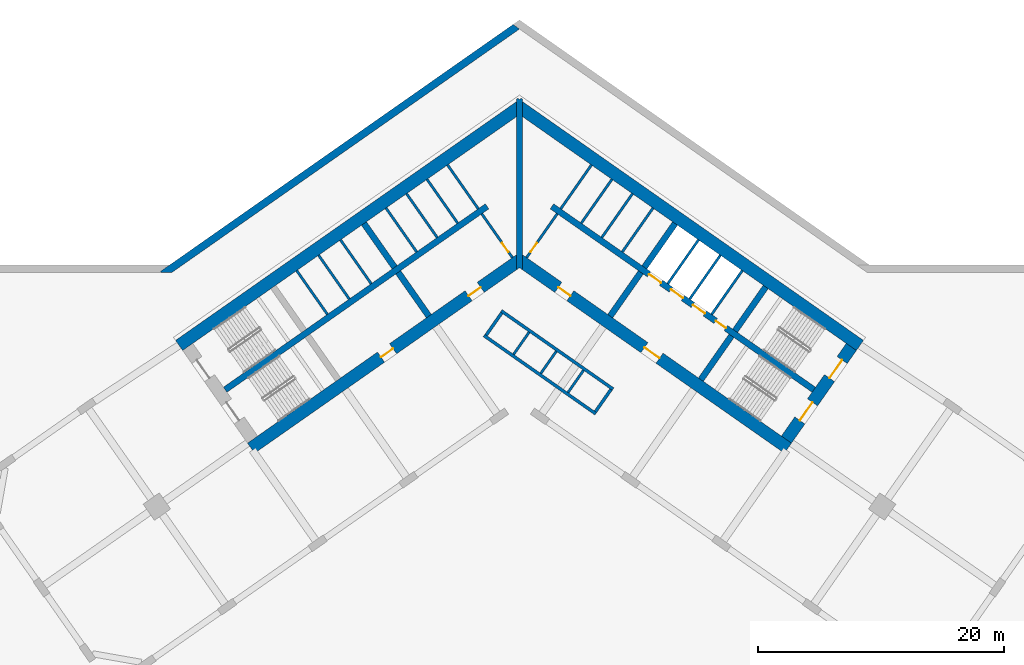
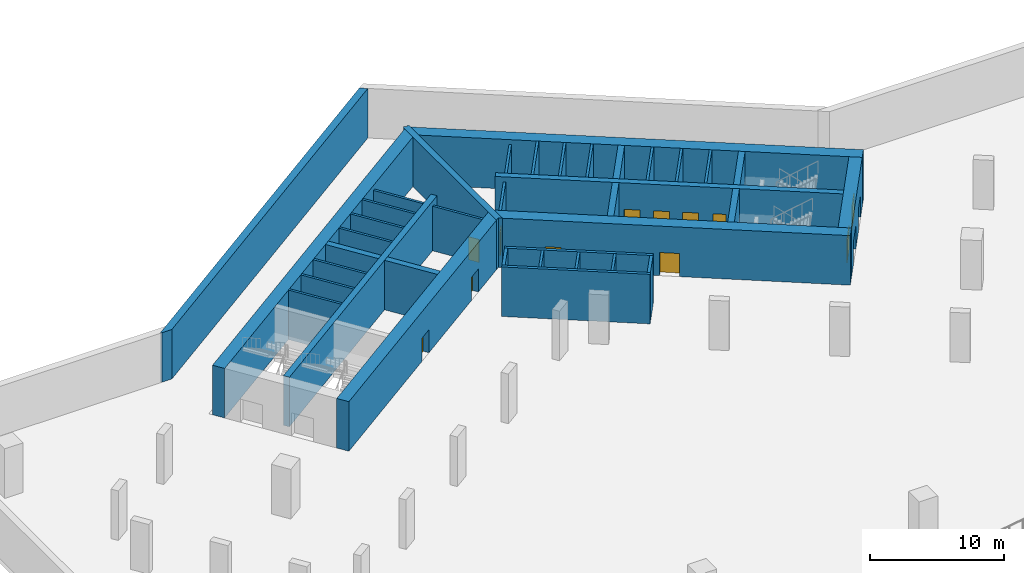
# One storey, part 7 of 11: 38 walls, 12 doors, 12 openings.
"""IFC4 building model written with IfcOpenShell, lengths in metres."""

from ifc_helpers import new_model, si_unit, direction, frame, frame_2d, origin, place, context, subcontext, project, spatial, polyline, rectangle, outline, extrude, material, layer, layer_set, type_object, element, fill, save


model = new_model("IFC4")

# Units and contexts
model_context = context("Model", 3, precision=1e-05, world=origin(), true_north=direction((0.0, 1.0)))
body_context = subcontext(model_context, "Body", "Model", "MODEL_VIEW")
ifc_project = project(units=[si_unit("LENGTHUNIT", "METRE"), si_unit("AREAUNIT", "SQUARE_METRE"), si_unit("VOLUMEUNIT", "CUBIC_METRE"), si_unit("PLANEANGLEUNIT", "RADIAN"), si_unit("MASSUNIT", "GRAM", prefix="KILO")], contexts=[model_context])

# Site, building, storey
site_placement = place(None, origin())
site = spatial("IfcSite", under=ifc_project, at=site_placement, CompositionType="ELEMENT")
building_placement = place(site_placement, origin())
building = spatial("IfcBuilding", under=site, at=building_placement, Name="Tel Ilan Convention Tower", CompositionType="ELEMENT")
storey_placement = place(building_placement, frame((0.0, 0.0, -4.5)))
storey = spatial("IfcBuildingStorey", under=building, at=storey_placement, Name="B1", CompositionType="ELEMENT", Elevation=-4.5)

# Wall
ifc_material_1 = material(Name="Concrete C40/50", Category="concrete")
ifc_layer_1 = layer(ifc_material_1, 0.60009765625)
ifc_layer_set_1 = layer_set([ifc_layer_1], Name="Basement Retaining Wall 600 mm C40/50")
wall_type_1 = type_object("IfcWallType", Name="Basement Retaining Wall 600 mm C40/50", PredefinedType="SOLIDWALL", material=ifc_layer_set_1)
wall_1_placement = place(storey_placement, frame((0.172119140625, 18.67626953125, 0.0), z_axis=(0.0, 0.0, 1.0), x_axis=(-0.819154640404, -0.573572728697, 0.0)))
element("IfcWall", 1, at=wall_1_placement, inside=storey, type_object=wall_type_1, Name="B1 retaining wall 5", PredefinedType="SOLIDWALL", context=body_context, shape_type="SweptSolid", body=[
    extrude(outline(polyline([(34.922119140625, 0.300048828125), (35.633056640625, -0.197509765625), (35.633056640625, -0.2998046875), (28.946044921875, -0.300048828125), (0.638427734375, -0.300048828125), (0.420166015625, 0.300048828125), (34.922119140625, 0.300048828125)])), origin(), (0.0, 0.0, 1.0), 4.5),
])

# Wall, opening, door
ifc_material_2 = material(Name="Concrete C30/37", Category="concrete")
ifc_layer_2 = layer(ifc_material_2, 0.199951171875)
ifc_layer_set_2 = layer_set([ifc_layer_2], Name="Core Service Room Wall 200 mm C30/37")
wall_type_2 = type_object("IfcWallType", Name="Core Service Room Wall 200 mm C30/37", PredefinedType="SOLIDWALL", material=ifc_layer_set_2)
wall_2_placement = place(storey_placement, frame((-0.573486328125, -0.401611328125, 0.0), z_axis=(0.0, 0.0, 1.0), x_axis=(-0.57356780395, 0.819158088694, 0.0)))
wall_2 = element("IfcWall", 2, at=wall_2_placement, inside=storey, type_object=wall_type_2, Name="B1 core wall apex-W", PredefinedType="SOLIDWALL", context=body_context, shape_type="SweptSolid", body=[
    extrude(rectangle(XDim=4.35009765625, YDim=0.199951171875, at=frame_2d((2.175048828125, 0.0))), origin(), (0.0, 0.0, 1.0), 4.050048828125),
])
opening_1_placement = place(wall_2_placement, frame((0.550048828125, 0.0, 0.0)))
opening_1 = element("IfcOpeningElement", 3, at=opening_1_placement, cuts=wall_2, Name="Opening CD0202", PredefinedType="OPENING", context=body_context, shape_type="SweptSolid", body=[
    extrude(rectangle(XDim=0.89990234375, YDim=2.10009765625, at=frame_2d((0.449951171875, 1.050048828125))), frame((0.0, 0.10986328125, 0.0), z_axis=(0.0, -1.0, 0.0), x_axis=(1.0, 0.0, 0.0)), (0.0, 0.0, 1.0), 0.219970703125),
])
ifc_material_3 = material(Name="Galvanised Steel Door Leaf", Category="steel")
door_type_1 = type_object("IfcDoorType", Name="Service Room Door 900 x 2100 FD60", OperationType="NOTDEFINED", PredefinedType="DOOR", material=ifc_material_3)
door_1_placement = place(opening_1_placement, origin())
door_1 = element("IfcDoor", 4, at=door_1_placement, inside=storey, type_object=door_type_1, Name="Pump Room door", OperationType="SINGLE_SWING_RIGHT", OverallHeight=2.10009765625, OverallWidth=0.89990234375, PredefinedType="DOOR", context=body_context, shape_type="SweptSolid", body=[
    extrude(rectangle(XDim=0.89990234375, YDim=2.10009765625, at=frame_2d((0.449951171875, 1.050048828125))), frame((0.0, 0.02490234375, 0.0), z_axis=(0.0, -1.0, 0.0), x_axis=(1.0, 0.0, 0.0)), (0.0, 0.0, 1.0), 0.050048828125),
])
fill(opening_1, door_1)

# Wall
wall_3_placement = place(storey_placement, frame((-3.355224609375, 3.5712890625, 0.0), z_axis=(0.0, 0.0, 1.0), x_axis=(-0.57356780395, 0.819158088694, 0.0)))
element("IfcWall", 5, at=wall_3_placement, inside=storey, type_object=wall_type_2, Name="B1 core wall apex-W-b", PredefinedType="SOLIDWALL", context=body_context, shape_type="SweptSolid", body=[
    extrude(rectangle(XDim=4.35009765625, YDim=0.199951171875, at=frame_2d((2.175048828125, 0.0))), origin(), (0.0, 0.0, 1.0), 4.050048828125),
])

# Wall, opening, door
wall_4_placement = place(storey_placement, frame((0.573486328125, -0.401611328125, 0.0), z_axis=(0.0, 0.0, 1.0), x_axis=(0.57356780395, 0.819158088694, 0.0)))
wall_4 = element("IfcWall", 6, at=wall_4_placement, inside=storey, type_object=wall_type_2, Name="B1 core wall apex-E", PredefinedType="SOLIDWALL", context=body_context, shape_type="SweptSolid", body=[
    extrude(rectangle(XDim=4.35009765625, YDim=0.199951171875, at=frame_2d((2.175048828125, 0.0))), origin(), (0.0, 0.0, 1.0), 4.050048828125),
])
opening_2_placement = place(wall_4_placement, frame((0.550048828125, 0.0, 0.0)))
opening_2 = element("IfcOpeningElement", 7, at=opening_2_placement, cuts=wall_4, Name="Opening CD0201", PredefinedType="OPENING", context=body_context, shape_type="SweptSolid", body=[
    extrude(rectangle(XDim=0.89990234375, YDim=2.10009765625, at=frame_2d((0.449951171875, 1.050048828125))), frame((0.0, 0.10986328125, 0.0), z_axis=(0.0, -1.0, 0.0), x_axis=(1.0, 0.0, 0.0)), (0.0, 0.0, 1.0), 0.219970703125),
])
door_2_placement = place(opening_2_placement, origin())
door_2 = element("IfcDoor", 8, at=door_2_placement, inside=storey, type_object=door_type_1, Name="Sump and Sprinkler Control Room door", OperationType="SINGLE_SWING_RIGHT", OverallHeight=2.10009765625, OverallWidth=0.89990234375, PredefinedType="DOOR", context=body_context, shape_type="SweptSolid", body=[
    extrude(rectangle(XDim=0.89990234375, YDim=2.10009765625, at=frame_2d((0.449951171875, 1.050048828125))), frame((0.0, 0.02490234375, 0.0), z_axis=(0.0, -1.0, 0.0), x_axis=(1.0, 0.0, 0.0)), (0.0, 0.0, 1.0), 0.050048828125),
])
fill(opening_2, door_2)

# Walls
wall_5_placement = place(storey_placement, frame((3.355224609375, 3.5712890625, 0.0), z_axis=(0.0, 0.0, 1.0), x_axis=(0.57356780395, 0.819158088694, 0.0)))
element("IfcWall", 9, at=wall_5_placement, inside=storey, type_object=wall_type_2, Name="B1 core wall apex-E-b", PredefinedType="SOLIDWALL", context=body_context, shape_type="SweptSolid", body=[
    extrude(rectangle(XDim=4.35009765625, YDim=0.199951171875, at=frame_2d((2.175048828125, 0.0))), origin(), (0.0, 0.0, 1.0), 4.050048828125),
])
ifc_material_4 = material(Name="Concrete C60/75", Category="concrete")
ifc_layer_3 = layer(ifc_material_4, 1.0)
ifc_layer_set_3 = layer_set([ifc_layer_3], Name="Core Shear Wall 1000 mm C60/75")
wall_type_3 = type_object("IfcWallType", Name="Core Shear Wall 1000 mm C60/75", PredefinedType="SHEAR", material=ifc_layer_set_3)
wall_6_placement = place(storey_placement, frame((0.036865234375, 11.8671875, 0.0), z_axis=(0.0, 0.0, 1.0), x_axis=(-0.819155306259, -0.573571777746, 0.0)))
element("IfcWall", 10, at=wall_6_placement, inside=storey, type_object=wall_type_3, Name="B1 core wall W-back", PredefinedType="SHEAR", context=body_context, shape_type="SweptSolid", body=[
    extrude(outline(polyline([(33.8369140625, 0.5), (0.7001953125, 0.499755859375), (0.0, -0.5), (33.8369140625, -0.5), (33.8369140625, 0.5)])), origin(), (0.0, 0.0, 1.0), 4.5),
])

# Wall, openings, doors
wall_7_placement = place(storey_placement, frame((0.036865234375, -0.584716796875, 0.0), z_axis=(0.0, 0.0, 1.0), x_axis=(-0.819157152511, -0.573569140985, 0.0)))
wall_7 = element("IfcWall", 11, at=wall_7_placement, inside=storey, type_object=wall_type_3, Name="B1 core wall W-front", PredefinedType="SHEAR", context=body_context, shape_type="SweptSolid", body=[
    extrude(outline(polyline([(26.69482421875, 0.500244140625), (0.7001953125, 0.499755859375), (0.0, -0.5), (26.69482421875, -0.499755859375), (26.69482421875, 0.500244140625)])), origin(), (0.0, 0.0, 1.0), 4.5),
])
opening_3_placement = place(wall_7_placement, frame((3.894775390625, 0.0, 0.0)))
opening_3 = element("IfcOpeningElement", 12, at=opening_3_placement, cuts=wall_7, Name="Opening CD0205", PredefinedType="OPENING", context=body_context, shape_type="SweptSolid", body=[
    extrude(rectangle(XDim=1.199951171875, YDim=2.10009765625, at=frame_2d((0.60009765625, 1.050048828125))), frame((0.0, 0.510009765625, 0.0), z_axis=(0.0, -1.0, 0.0), x_axis=(1.0, 0.0, 0.0)), (0.0, 0.0, 1.0), 1.02001953125),
])
opening_4_placement = place(wall_7_placement, frame((12.5947265625, 0.0, 0.0)))
opening_4 = element("IfcOpeningElement", 13, at=opening_4_placement, cuts=wall_7, Name="Opening CD0206", PredefinedType="OPENING", context=body_context, shape_type="SweptSolid", body=[
    extrude(rectangle(XDim=1.199951171875, YDim=2.10009765625, at=frame_2d((0.60009765625, 1.050048828125))), frame((0.0, 0.510009765625, 0.0), z_axis=(0.0, -1.0, 0.0), x_axis=(1.0, 0.0, 0.0)), (0.0, 0.0, 1.0), 1.02001953125),
])
ifc_material_5 = material(Name="Galvanised Steel Door Leaf", Category="steel")
door_type_2 = type_object("IfcDoorType", Name="Service Room Door 1200 x 2100 FD60", OperationType="NOTDEFINED", PredefinedType="DOOR", material=ifc_material_5)
door_3_placement = place(opening_3_placement, origin())
door_3 = element("IfcDoor", 14, at=door_3_placement, inside=storey, type_object=door_type_2, Name="Plant Room W1 door", OperationType="SINGLE_SWING_RIGHT", OverallHeight=2.10009765625, OverallWidth=1.199951171875, PredefinedType="DOOR", context=body_context, shape_type="SweptSolid", body=[
    extrude(rectangle(XDim=1.199951171875, YDim=2.10009765625, at=frame_2d((0.60009765625, 1.050048828125))), frame((0.0, 0.02490234375, 0.0), z_axis=(0.0, -1.0, 0.0), x_axis=(1.0, 0.0, 0.0)), (0.0, 0.0, 1.0), 0.050048828125),
])
fill(opening_3, door_3)
door_4_placement = place(opening_4_placement, origin())
door_4 = element("IfcDoor", 15, at=door_4_placement, inside=storey, type_object=door_type_2, Name="Plant Room W2 door", OperationType="SINGLE_SWING_RIGHT", OverallHeight=2.10009765625, OverallWidth=1.199951171875, PredefinedType="DOOR", context=body_context, shape_type="SweptSolid", body=[
    extrude(rectangle(XDim=1.199951171875, YDim=2.10009765625, at=frame_2d((0.60009765625, 1.050048828125))), frame((0.0, 0.02490234375, 0.0), z_axis=(0.0, -1.0, 0.0), x_axis=(1.0, 0.0, 0.0)), (0.0, 0.0, 1.0), 0.050048828125),
])
fill(opening_4, door_4)

# Wall
wall_8_placement = place(storey_placement, frame((-0.036865234375, 11.8671875, 0.0), z_axis=(0.0, 0.0, 1.0), x_axis=(0.819155306259, -0.573571777746, 0.0)))
element("IfcWall", 16, at=wall_8_placement, inside=storey, type_object=wall_type_3, Name="B1 core wall E-back", PredefinedType="SHEAR", context=body_context, shape_type="SweptSolid", body=[
    extrude(outline(polyline([(33.8369140625, 0.5), (0.0, 0.5), (0.7001953125, -0.499755859375), (33.8369140625, -0.5), (33.8369140625, 0.5)])), origin(), (0.0, 0.0, 1.0), 4.5),
])

# Wall, openings, doors
wall_9_placement = place(storey_placement, frame((-0.036865234375, -0.584716796875, 0.0), z_axis=(0.0, 0.0, 1.0), x_axis=(0.819157152511, -0.573569140985, 0.0)))
wall_9 = element("IfcWall", 17, at=wall_9_placement, inside=storey, type_object=wall_type_3, Name="B1 core wall E-front", PredefinedType="SHEAR", context=body_context, shape_type="SweptSolid", body=[
    extrude(outline(polyline([(26.69482421875, 0.499755859375), (0.0, 0.5), (0.7001953125, -0.499755859375), (26.69482421875, -0.500244140625), (26.69482421875, 0.499755859375)])), origin(), (0.0, 0.0, 1.0), 4.5),
])
opening_5_placement = place(wall_9_placement, frame((3.894775390625, 0.0, 0.0)))
opening_5 = element("IfcOpeningElement", 18, at=opening_5_placement, cuts=wall_9, Name="Opening CD0203", PredefinedType="OPENING", context=body_context, shape_type="SweptSolid", body=[
    extrude(rectangle(XDim=1.199951171875, YDim=2.10009765625, at=frame_2d((0.60009765625, 1.050048828125))), frame((0.0, 0.510009765625, 0.0), z_axis=(0.0, -1.0, 0.0), x_axis=(1.0, 0.0, 0.0)), (0.0, 0.0, 1.0), 1.02001953125),
])
opening_6_placement = place(wall_9_placement, frame((12.44482421875, 0.0, 0.0)))
opening_6 = element("IfcOpeningElement", 19, at=opening_6_placement, cuts=wall_9, Name="Opening CD0204", PredefinedType="OPENING", context=body_context, shape_type="SweptSolid", body=[
    extrude(rectangle(XDim=1.5, YDim=2.10009765625, at=frame_2d((0.75, 1.050048828125))), frame((0.0, 0.510009765625, 0.0), z_axis=(0.0, -1.0, 0.0), x_axis=(1.0, 0.0, 0.0)), (0.0, 0.0, 1.0), 1.02001953125),
])
ifc_material_6 = material(Name="Glazed Aluminium Door Leaf", Category="aluminium")
door_type_3 = type_object("IfcDoorType", Name="Lobby Opening Door 1500 x 2100 FD60S", OperationType="NOTDEFINED", PredefinedType="DOOR", material=ifc_material_6)
door_5_placement = place(opening_6_placement, origin())
door_5 = element("IfcDoor", 20, at=door_5_placement, inside=storey, type_object=door_type_3, Name="Firefighting Lobby door", OperationType="DOUBLE_DOOR_SINGLE_SWING", OverallHeight=2.10009765625, OverallWidth=1.5, PredefinedType="DOOR", context=body_context, shape_type="SweptSolid", body=[
    extrude(rectangle(XDim=1.5, YDim=2.10009765625, at=frame_2d((0.75, 1.050048828125))), frame((0.0, 0.02490234375, 0.0), z_axis=(0.0, -1.0, 0.0), x_axis=(1.0, 0.0, 0.0)), (0.0, 0.0, 1.0), 0.050048828125),
])
fill(opening_6, door_5)
door_6_placement = place(opening_5_placement, origin())
door_6 = element("IfcDoor", 21, at=door_6_placement, inside=storey, type_object=door_type_2, Name="Plant Room E1 door", OperationType="SINGLE_SWING_RIGHT", OverallHeight=2.10009765625, OverallWidth=1.199951171875, PredefinedType="DOOR", context=body_context, shape_type="SweptSolid", body=[
    extrude(rectangle(XDim=1.199951171875, YDim=2.10009765625, at=frame_2d((0.60009765625, 1.050048828125))), frame((0.0, 0.02490234375, 0.0), z_axis=(0.0, -1.0, 0.0), x_axis=(1.0, 0.0, 0.0)), (0.0, 0.0, 1.0), 0.050048828125),
])
fill(opening_5, door_6)

wall_10_placement = place(storey_placement, frame((21.70751953125, -15.19970703125, 0.0), z_axis=(0.0, 0.0, 1.0), x_axis=(0.573576324356, 0.819152122709, 0.0)))
wall_10 = element("IfcWall", 22, at=wall_10_placement, inside=storey, type_object=wall_type_3, Name="B1 core wall E-end", PredefinedType="SHEAR", context=body_context, shape_type="SweptSolid", body=[
    extrude(outline(polyline([(9.199951171875, 0.5), (0.0, 0.5), (0.0, -0.5), (9.199951171875, -0.5), (9.199951171875, 0.5)])), origin(), (0.0, 0.0, 1.0), 4.5),
])
opening_7_placement = place(wall_10_placement, frame((6.10009765625, 0.0, 0.0)))
opening_7 = element("IfcOpeningElement", 23, at=opening_7_placement, cuts=wall_10, Name="Opening SD0203", PredefinedType="OPENING", context=body_context, shape_type="SweptSolid", body=[
    extrude(rectangle(XDim=1.800048828125, YDim=2.10009765625, at=frame_2d((0.89990234375, 1.050048828125))), frame((0.0, 0.510009765625, 0.0), z_axis=(0.0, -1.0, 0.0), x_axis=(1.0, 0.0, 0.0)), (0.0, 0.0, 1.0), 1.02001953125),
])
opening_8_placement = place(wall_10_placement, frame((1.89990234375, 0.0, 0.0)))
opening_8 = element("IfcOpeningElement", 24, at=opening_8_placement, cuts=wall_10, Name="Opening SD0204", PredefinedType="OPENING", context=body_context, shape_type="SweptSolid", body=[
    extrude(rectangle(XDim=1.800048828125, YDim=2.10009765625, at=frame_2d((0.89990234375, 1.050048828125))), frame((0.0, 0.510009765625, 0.0), z_axis=(0.0, -1.0, 0.0), x_axis=(1.0, 0.0, 0.0)), (0.0, 0.0, 1.0), 1.02001953125),
])
ifc_material_7 = material(Name="Galvanised Steel Door Leaf", Category="steel")
door_type_4 = type_object("IfcDoorType", Name="Stair Fire Door 1800 x 2100 FD60S", OperationType="NOTDEFINED", PredefinedType="DOOR", material=ifc_material_7)
door_7_placement = place(opening_7_placement, origin())
door_7 = element("IfcDoor", 25, at=door_7_placement, inside=storey, type_object=door_type_4, Name="Stair S3 door", OperationType="DOUBLE_DOOR_SINGLE_SWING", OverallHeight=2.10009765625, OverallWidth=1.800048828125, PredefinedType="DOOR", context=body_context, shape_type="SweptSolid", body=[
    extrude(rectangle(XDim=1.800048828125, YDim=2.10009765625, at=frame_2d((0.89990234375, 1.050048828125))), frame((0.0, 0.02490234375, 0.0), z_axis=(0.0, -1.0, 0.0), x_axis=(1.0, 0.0, 0.0)), (0.0, 0.0, 1.0), 0.050048828125),
])
fill(opening_7, door_7)
door_8_placement = place(opening_8_placement, origin())
door_8 = element("IfcDoor", 26, at=door_8_placement, inside=storey, type_object=door_type_4, Name="Stair S4 door", OperationType="DOUBLE_DOOR_SINGLE_SWING", OverallHeight=2.10009765625, OverallWidth=1.800048828125, PredefinedType="DOOR", context=body_context, shape_type="SweptSolid", body=[
    extrude(rectangle(XDim=1.800048828125, YDim=2.10009765625, at=frame_2d((0.89990234375, 1.050048828125))), frame((0.0, 0.02490234375, 0.0), z_axis=(0.0, -1.0, 0.0), x_axis=(1.0, 0.0, 0.0)), (0.0, 0.0, 1.0), 0.050048828125),
])
fill(opening_8, door_8)

# Walls
ifc_material_8 = material(Name="Concrete C60/75", Category="concrete")
ifc_layer_4 = layer(ifc_material_8, 0.5)
ifc_layer_set_4 = layer_set([ifc_layer_4], Name="Core Shear Wall 500 mm C60/75")
wall_type_4 = type_object("IfcWallType", Name="Core Shear Wall 500 mm C60/75", PredefinedType="SHEAR", material=ifc_layer_set_4)
wall_11_placement = place(storey_placement, frame((-7.372314453125, -5.162109375, 0.0), z_axis=(0.0, 0.0, 1.0), x_axis=(-0.573594173421, 0.819139624372, 0.0)))
element("IfcWall", 27, at=wall_11_placement, inside=storey, type_object=wall_type_4, Name="B1 core wall W-cross1-1", PredefinedType="SHEAR", context=body_context, shape_type="SweptSolid", body=[
    extrude(outline(polyline([(4.349853515625, 0.25), (0.0, 0.250244140625), (0.0, -0.25), (4.349853515625, -0.25), (4.349853515625, 0.25)])), origin(), (0.0, 0.0, 1.0), 4.5),
])
wall_12_placement = place(storey_placement, frame((-10.154296875, -1.189208984375, 0.0), z_axis=(0.0, 0.0, 1.0), x_axis=(-0.573594173421, 0.819139624372, 0.0)))
element("IfcWall", 28, at=wall_12_placement, inside=storey, type_object=wall_type_4, Name="B1 core wall W-cross1-2", PredefinedType="SHEAR", context=body_context, shape_type="SweptSolid", body=[
    extrude(outline(polyline([(4.349853515625, -0.25), (4.349853515625, 0.25), (-0.000244140625, 0.25), (-0.000244140625, -0.25), (4.349853515625, -0.25)])), origin(), (0.0, 0.0, 1.0), 4.5),
])
wall_13_placement = place(storey_placement, frame((-2.638427734375, 3.76806640625, 0.0), z_axis=(0.0, 0.0, 1.0), x_axis=(-0.819148977158, -0.573580816643, 0.0)))
element("IfcWall", 29, at=wall_13_placement, inside=storey, type_object=wall_type_4, Name="B1 core wall W-spine", PredefinedType="SHEAR", context=body_context, shape_type="SweptSolid", body=[
    extrude(outline(polyline([(26.0, 0.249755859375), (0.0, 0.25), (0.0, -0.25), (26.0, -0.250244140625), (26.0, 0.249755859375)])), origin(), (0.0, 0.0, 1.0), 4.5),
])
wall_14_placement = place(storey_placement, frame((7.372314453125, -5.162109375, 0.0), z_axis=(0.0, 0.0, 1.0), x_axis=(0.573594173421, 0.819139624372, 0.0)))
element("IfcWall", 30, at=wall_14_placement, inside=storey, type_object=wall_type_4, Name="B1 core wall E-cross1-1", PredefinedType="SHEAR", context=body_context, shape_type="SweptSolid", body=[
    extrude(outline(polyline([(0.0, 0.25), (0.0, -0.250244140625), (4.349853515625, -0.25), (4.349853515625, 0.25), (0.0, 0.25)])), origin(), (0.0, 0.0, 1.0), 4.5),
])
wall_15_placement = place(storey_placement, frame((10.154296875, -1.189208984375, 0.0), z_axis=(0.0, 0.0, 1.0), x_axis=(0.573594173421, 0.819139624372, 0.0)))
element("IfcWall", 31, at=wall_15_placement, inside=storey, type_object=wall_type_4, Name="B1 core wall E-cross1-2", PredefinedType="SHEAR", context=body_context, shape_type="SweptSolid", body=[
    extrude(outline(polyline([(4.349853515625, -0.25), (4.349853515625, 0.25), (-0.000244140625, 0.25), (-0.000244140625, -0.25), (4.349853515625, -0.25)])), origin(), (0.0, 0.0, 1.0), 4.5),
])
wall_16_placement = place(storey_placement, frame((14.74462890625, -10.324462890625, 0.0), z_axis=(0.0, 0.0, 1.0), x_axis=(0.57356780395, 0.819158088694, 0.0)))
element("IfcWall", 32, at=wall_16_placement, inside=storey, type_object=wall_type_4, Name="B1 core wall E-cross2-1", PredefinedType="SHEAR", context=body_context, shape_type="SweptSolid", body=[
    extrude(outline(polyline([(0.0, 0.25), (0.0, -0.25), (4.35009765625, -0.250244140625), (4.35009765625, 0.25), (0.0, 0.25)])), origin(), (0.0, 0.0, 1.0), 4.5),
])
wall_17_placement = place(storey_placement, frame((17.526611328125, -6.3515625, 0.0), z_axis=(0.0, 0.0, 1.0), x_axis=(0.573530143085, 0.819184457233, 0.0)))
element("IfcWall", 33, at=wall_17_placement, inside=storey, type_object=wall_type_4, Name="B1 core wall E-cross2-2", PredefinedType="SHEAR", context=body_context, shape_type="SweptSolid", body=[
    extrude(outline(polyline([(4.35009765625, -0.250244140625), (4.35009765625, 0.249755859375), (0.0, 0.25), (0.0, -0.25), (4.35009765625, -0.250244140625)])), origin(), (0.0, 0.0, 1.0), 4.5),
])

# Wall, openings, doors
wall_18_placement = place(storey_placement, frame((2.638427734375, 3.76806640625, 0.0), z_axis=(0.0, 0.0, 1.0), x_axis=(0.819148977158, -0.573580816643, 0.0)))
wall_18 = element("IfcWall", 34, at=wall_18_placement, inside=storey, type_object=wall_type_4, Name="B1 core wall E-spine", PredefinedType="SHEAR", context=body_context, shape_type="SweptSolid", body=[
    extrude(outline(polyline([(0.0, 0.25), (0.0, -0.25), (26.0, -0.249755859375), (26.0, 0.250244140625), (0.0, 0.25)])), origin(), (0.0, 0.0, 1.0), 4.5),
])
opening_9_placement = place(wall_18_placement, frame((9.637451171875, 0.0, 0.0)))
opening_9 = element("IfcOpeningElement", 35, at=opening_9_placement, cuts=wall_18, Name="Opening LD0201", PredefinedType="OPENING", context=body_context, shape_type="SweptSolid", body=[
    extrude(rectangle(XDim=1.199951171875, YDim=2.10009765625, at=frame_2d((0.60009765625, 1.050048828125))), frame((0.0, 0.260009765625, 0.0), z_axis=(0.0, -1.0, 0.0), x_axis=(1.0, 0.0, 0.0)), (0.0, 0.0, 1.0), 0.52001953125),
])
opening_10_placement = place(wall_18_placement, frame((11.8125, 0.0, 0.0)))
opening_10 = element("IfcOpeningElement", 36, at=opening_10_placement, cuts=wall_18, Name="Opening LD0202", PredefinedType="OPENING", context=body_context, shape_type="SweptSolid", body=[
    extrude(rectangle(XDim=1.199951171875, YDim=2.10009765625, at=frame_2d((0.60009765625, 1.050048828125))), frame((0.0, 0.260009765625, 0.0), z_axis=(0.0, -1.0, 0.0), x_axis=(1.0, 0.0, 0.0)), (0.0, 0.0, 1.0), 0.52001953125),
])
opening_11_placement = place(wall_18_placement, frame((13.987548828125, 0.0, 0.0)))
opening_11 = element("IfcOpeningElement", 37, at=opening_11_placement, cuts=wall_18, Name="Opening LD0203", PredefinedType="OPENING", context=body_context, shape_type="SweptSolid", body=[
    extrude(rectangle(XDim=1.199951171875, YDim=2.10009765625, at=frame_2d((0.60009765625, 1.050048828125))), frame((0.0, 0.260009765625, 0.0), z_axis=(0.0, -1.0, 0.0), x_axis=(1.0, 0.0, 0.0)), (0.0, 0.0, 1.0), 0.52001953125),
])
opening_12_placement = place(wall_18_placement, frame((16.262451171875, 0.0, 0.0)))
opening_12 = element("IfcOpeningElement", 38, at=opening_12_placement, cuts=wall_18, Name="Opening CD0207", PredefinedType="OPENING", context=body_context, shape_type="SweptSolid", body=[
    extrude(rectangle(XDim=1.0, YDim=2.10009765625, at=frame_2d((0.5, 1.050048828125))), frame((0.0, 0.260009765625, 0.0), z_axis=(0.0, -1.0, 0.0), x_axis=(1.0, 0.0, 0.0)), (0.0, 0.0, 1.0), 0.52001953125),
])
ifc_material_9 = material(Name="Stainless Steel Sliding Door Leaf", Category="steel")
door_type_5 = type_object("IfcDoorType", Name="Lift Landing Door 1200 x 2100 FD120", OperationType="NOTDEFINED", PredefinedType="DOOR", material=ifc_material_9)
door_9_placement = place(opening_9_placement, origin())
door_9 = element("IfcDoor", 39, at=door_9_placement, inside=storey, type_object=door_type_5, Name="Lift FL1 landing door", OperationType="SLIDING_TO_LEFT", OverallHeight=2.10009765625, OverallWidth=1.199951171875, PredefinedType="DOOR", context=body_context, shape_type="SweptSolid", body=[
    extrude(rectangle(XDim=1.199951171875, YDim=2.10009765625, at=frame_2d((0.60009765625, 1.050048828125))), frame((0.0, 0.02490234375, 0.0), z_axis=(0.0, -1.0, 0.0), x_axis=(1.0, 0.0, 0.0)), (0.0, 0.0, 1.0), 0.050048828125),
])
fill(opening_9, door_9)
door_10_placement = place(opening_10_placement, origin())
door_10 = element("IfcDoor", 40, at=door_10_placement, inside=storey, type_object=door_type_5, Name="Lift FL2 landing door", OperationType="SLIDING_TO_RIGHT", OverallHeight=2.10009765625, OverallWidth=1.199951171875, PredefinedType="DOOR", context=body_context, shape_type="SweptSolid", body=[
    extrude(rectangle(XDim=1.199951171875, YDim=2.10009765625, at=frame_2d((0.60009765625, 1.050048828125))), frame((0.0, 0.02490234375, 0.0), z_axis=(0.0, -1.0, 0.0), x_axis=(1.0, 0.0, 0.0)), (0.0, 0.0, 1.0), 0.050048828125),
])
fill(opening_10, door_10)
door_11_placement = place(opening_11_placement, origin())
door_11 = element("IfcDoor", 41, at=door_11_placement, inside=storey, type_object=door_type_5, Name="Lift FL3 landing door", OperationType="SLIDING_TO_LEFT", OverallHeight=2.10009765625, OverallWidth=1.199951171875, PredefinedType="DOOR", context=body_context, shape_type="SweptSolid", body=[
    extrude(rectangle(XDim=1.199951171875, YDim=2.10009765625, at=frame_2d((0.60009765625, 1.050048828125))), frame((0.0, 0.02490234375, 0.0), z_axis=(0.0, -1.0, 0.0), x_axis=(1.0, 0.0, 0.0)), (0.0, 0.0, 1.0), 0.050048828125),
])
fill(opening_11, door_11)
ifc_material_10 = material(Name="Galvanised Steel Door Leaf", Category="steel")
door_type_6 = type_object("IfcDoorType", Name="Service Room Door 1000 x 2100 FD60", OperationType="NOTDEFINED", PredefinedType="DOOR", material=ifc_material_10)
door_12_placement = place(opening_12_placement, origin())
door_12 = element("IfcDoor", 42, at=door_12_placement, inside=storey, type_object=door_type_6, Name="Plant Room door", OperationType="SINGLE_SWING_RIGHT", OverallHeight=2.10009765625, OverallWidth=1.0, PredefinedType="DOOR", context=body_context, shape_type="SweptSolid", body=[
    extrude(rectangle(XDim=1.0, YDim=2.10009765625, at=frame_2d((0.5, 1.050048828125))), frame((0.0, 0.02490234375, 0.0), z_axis=(0.0, -1.0, 0.0), x_axis=(1.0, 0.0, 0.0)), (0.0, 0.0, 1.0), 0.050048828125),
])
fill(opening_12, door_12)

# Walls
wall_19_placement = place(storey_placement, frame((0.0, -1.395751953125, 0.0), z_axis=(0.0, 0.0, 1.0), x_axis=(0.0, 1.0, 0.0)))
element("IfcWall", 43, at=wall_19_placement, inside=storey, type_object=wall_type_4, Name="B1 core wall K-central", PredefinedType="SHEAR", context=body_context, shape_type="SweptSolid", body=[
    extrude(outline(polyline([(0.0, -0.25), (0.175048828125, -0.25), (1.220703125, -0.25), (12.451904296875, -0.25), (13.84765625, -0.25), (13.85693359375, -0.25), (13.96826171875, -0.172119140625), (13.84765625, 0.0), (13.96826171875, 0.172119140625), (13.85693359375, 0.25), (13.84765625, 0.25), (12.451904296875, 0.25), (1.220703125, 0.25), (0.175048828125, 0.25), (0.0, 0.25), (0.175048828125, 0.0), (0.0, -0.25)])), origin(), (0.0, 0.0, 1.0), 4.5),
])
ifc_material_11 = material(Name="Concrete C30/37", Category="concrete")
ifc_layer_5 = layer(ifc_material_11, 0.199951171875)
ifc_layer_set_5 = layer_set([ifc_layer_5], Name="Lift Shaft Wall 200 mm C30/37")
wall_type_5 = type_object("IfcWallType", Name="Lift Shaft Wall 200 mm C30/37", PredefinedType="SOLIDWALL", material=ifc_layer_set_5)
wall_20_placement = place(storey_placement, frame((-5.0244140625, 2.402587890625, 0.0), z_axis=(0.0, 0.0, 1.0), x_axis=(-0.573530143085, 0.819184457233, 0.0)))
element("IfcWall", 44, at=wall_20_placement, inside=storey, type_object=wall_type_5, Name="B1 core wall bank-W1-p0", PredefinedType="SOLIDWALL", context=body_context, shape_type="SweptSolid", body=[
    extrude(rectangle(XDim=4.35009765625, YDim=0.199951171875, at=frame_2d((2.175048828125, 0.0))), origin(), (0.0, 0.0, 1.0), 4.5),
])
for number, where, z_axis, x_axis, name in (
    (45, (-6.693359375, 1.234130859375, 0.0), (0.0, 0.0, 1.0), (-0.573594173421, 0.819139624372, 0.0), "B1 core wall bank-W1-p1"),
    (46, (-8.3623046875, 0.0654296875, 0.0), (0.0, 0.0, 1.0), (-0.573594173421, 0.819139624372, 0.0), "B1 core wall bank-W1-p2"),
    (47, (-12.05859375, -2.52294921875, 0.0), (0.0, 0.0, 1.0), (-0.573594173421, 0.819139624372, 0.0), "B1 core wall bank-W2-p0"),
):
    element("IfcWall", number, at=place(storey_placement, frame(where, z_axis=z_axis, x_axis=x_axis)), inside=storey, type_object=wall_type_5, Name=name, PredefinedType="SOLIDWALL", context=body_context, shape_type="SweptSolid", body=[
        extrude(rectangle(XDim=4.349853515625, YDim=0.199951171875, at=frame_2d((2.1748046875, 0.0))), origin(), (0.0, 0.0, 1.0), 4.5),
    ])
wall_21_placement = place(storey_placement, frame((-13.84033203125, -3.7705078125, 0.0), z_axis=(0.0, 0.0, 1.0), x_axis=(-0.57356780395, 0.819158088694, 0.0)))
element("IfcWall", 48, at=wall_21_placement, inside=storey, type_object=wall_type_5, Name="B1 core wall bank-W2-p1", PredefinedType="SOLIDWALL", context=body_context, shape_type="SweptSolid", body=[
    extrude(rectangle(XDim=4.35009765625, YDim=0.199951171875, at=frame_2d((2.175048828125, 0.0))), origin(), (0.0, 0.0, 1.0), 4.5),
])
wall_22_placement = place(storey_placement, frame((-15.6220703125, -5.017822265625, 0.0), z_axis=(0.0, 0.0, 1.0), x_axis=(-0.573594173421, 0.819139624372, 0.0)))
element("IfcWall", 49, at=wall_22_placement, inside=storey, type_object=wall_type_5, Name="B1 core wall bank-W2-p2", PredefinedType="SOLIDWALL", context=body_context, shape_type="SweptSolid", body=[
    extrude(rectangle(XDim=4.349853515625, YDim=0.199951171875, at=frame_2d((2.1748046875, 0.0))), origin(), (0.0, 0.0, 1.0), 4.5),
])
wall_23_placement = place(storey_placement, frame((5.0244140625, 2.402587890625, 0.0), z_axis=(0.0, 0.0, 1.0), x_axis=(0.573530143085, 0.819184457233, 0.0)))
element("IfcWall", 50, at=wall_23_placement, inside=storey, type_object=wall_type_5, Name="B1 core wall bank-E1-p0", PredefinedType="SOLIDWALL", context=body_context, shape_type="SweptSolid", body=[
    extrude(rectangle(XDim=4.35009765625, YDim=0.199951171875, at=frame_2d((2.175048828125, 0.0))), origin(), (0.0, 0.0, 1.0), 4.5),
])
for number, where, z_axis, x_axis, name in (
    (51, (6.693359375, 1.234130859375, 0.0), (0.0, 0.0, 1.0), (0.573594173421, 0.819139624372, 0.0), "B1 core wall bank-E1-p1"),
    (52, (8.3623046875, 0.0654296875, 0.0), (0.0, 0.0, 1.0), (0.573594173421, 0.819139624372, 0.0), "B1 core wall bank-E1-p2"),
    (53, (12.05859375, -2.52294921875, 0.0), (0.0, 0.0, 1.0), (0.573594173421, 0.819139624372, 0.0), "B1 core wall bank-E2-p0"),
):
    element("IfcWall", number, at=place(storey_placement, frame(where, z_axis=z_axis, x_axis=x_axis)), inside=storey, type_object=wall_type_5, Name=name, PredefinedType="SOLIDWALL", context=body_context, shape_type="SweptSolid", body=[
        extrude(rectangle(XDim=4.349853515625, YDim=0.199951171875, at=frame_2d((2.1748046875, 0.0))), origin(), (0.0, 0.0, 1.0), 4.5),
    ])
wall_24_placement = place(storey_placement, frame((13.84033203125, -3.7705078125, 0.0), z_axis=(0.0, 0.0, 1.0), x_axis=(0.57356780395, 0.819158088694, 0.0)))
element("IfcWall", 54, at=wall_24_placement, inside=storey, type_object=wall_type_5, Name="B1 core wall bank-E2-p1", PredefinedType="SOLIDWALL", context=body_context, shape_type="SweptSolid", body=[
    extrude(rectangle(XDim=4.35009765625, YDim=0.199951171875, at=frame_2d((2.175048828125, 0.0))), origin(), (0.0, 0.0, 1.0), 4.5),
])
wall_25_placement = place(storey_placement, frame((15.6220703125, -5.017822265625, 0.0), z_axis=(0.0, 0.0, 1.0), x_axis=(0.573594173421, 0.819139624372, 0.0)))
element("IfcWall", 55, at=wall_25_placement, inside=storey, type_object=wall_type_5, Name="B1 core wall bank-E2-p2", PredefinedType="SOLIDWALL", context=body_context, shape_type="SweptSolid", body=[
    extrude(rectangle(XDim=4.349853515625, YDim=0.199951171875, at=frame_2d((2.1748046875, 0.0))), origin(), (0.0, 0.0, 1.0), 4.5),
])
for number, where, z_axis, x_axis, name in (
    (56, (-0.48046875, -8.27001953125, 0.0), (0.0, 0.0, 1.0), (0.573633636671, 0.819111989218, 0.0), "B1 core wall pl-part-0"),
    (57, (1.731201171875, -9.818603515625, 0.0), (0.0, 0.0, 1.0), (0.573633636671, 0.819111989218, 0.0), "B1 core wall pl-part-1"),
    (58, (3.943115234375, -11.367431640625, 0.0), (0.0, 0.0, 1.0), (0.573507030513, 0.819200638399, 0.0), "B1 core wall pl-part-2"),
):
    element("IfcWall", number, at=place(storey_placement, frame(where, z_axis=z_axis, x_axis=x_axis)), inside=storey, type_object=wall_type_5, Name=name, PredefinedType="SOLIDWALL", context=body_context, shape_type="SweptSolid", body=[
        extrude(rectangle(XDim=2.199951171875, YDim=0.199951171875, at=frame_2d((1.10009765625, 0.0))), origin(), (0.0, 0.0, 1.0), 4.5),
    ])
ifc_material_12 = material(Name="Concrete C30/37", Category="concrete")
ifc_layer_6 = layer(ifc_material_12, 0.25)
ifc_layer_set_6 = layer_set([ifc_layer_6], Name="Lift Shaft Wall 250 mm C30/37")
wall_type_6 = type_object("IfcWallType", Name="Lift Shaft Wall 250 mm C30/37", PredefinedType="SOLIDWALL", material=ifc_layer_set_6)
for number, where, z_axis, x_axis, name in (
    (59, (-2.88671875, -6.73779296875, 0.0), (0.0, 0.0, 1.0), (0.819150280716, -0.573578954985, 0.0), "B1 core wall pl-back"),
    (60, (-1.4814453125, -4.73095703125, 0.0), (0.0, 0.0, 1.0), (0.819150280716, -0.573578954985, 0.0), "B1 core wall pl-front"),
):
    element("IfcWall", number, at=place(storey_placement, frame(where, z_axis=z_axis, x_axis=x_axis)), inside=storey, type_object=wall_type_6, Name=name, PredefinedType="SOLIDWALL", context=body_context, shape_type="SweptSolid", body=[
        extrude(rectangle(XDim=11.099853515625, YDim=0.25, at=frame_2d((5.5498046875, 0.0))), origin(), (0.0, 0.0, 1.0), 4.5),
    ])
wall_26_placement = place(storey_placement, frame((-2.712646484375, -6.70703125, 0.0), z_axis=(0.0, 0.0, 1.0), x_axis=(0.573581496053, 0.819148501424, 0.0)))
element("IfcWall", 61, at=wall_26_placement, inside=storey, type_object=wall_type_6, Name="B1 core wall pl-end-a", PredefinedType="SOLIDWALL", context=body_context, shape_type="SweptSolid", body=[
    extrude(rectangle(XDim=2.2001953125, YDim=0.25, at=frame_2d((1.10009765625, 0.0))), origin(), (0.0, 0.0, 1.0), 4.5),
])
wall_27_placement = place(storey_placement, frame((6.17529296875, -12.930419921875, 0.0), z_axis=(0.0, 0.0, 1.0), x_axis=(0.573559170999, 0.819164133348, 0.0)))
element("IfcWall", 62, at=wall_27_placement, inside=storey, type_object=wall_type_6, Name="B1 core wall pl-end-b", PredefinedType="SOLIDWALL", context=body_context, shape_type="SweptSolid", body=[
    extrude(rectangle(XDim=2.19970703125, YDim=0.25, at=frame_2d((1.099853515625, 0.0))), origin(), (0.0, 0.0, 1.0), 4.5),
])

save(model, "model.ifc")
